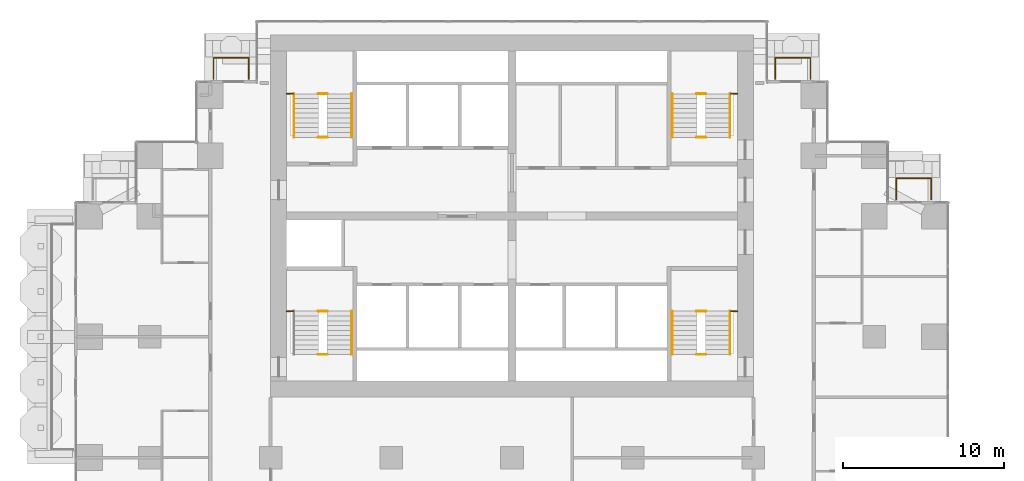
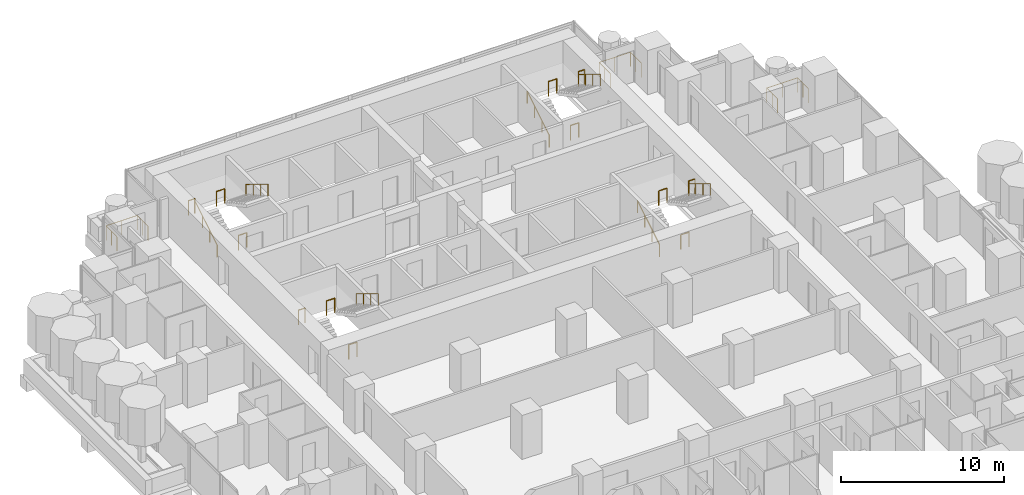
# One storey, part 16 of 17: 22 railings.
"""IFC4 building model written with IfcOpenShell, lengths in metres."""

from ifc_helpers import new_model, si_unit, direction, frame, origin, origin_2d, place, context, subcontext, project, spatial, circle, extrude, material, type_object, element, save


model = new_model("IFC4")

# Units and contexts
model_context = context("Model", 3, precision=1e-05, world=origin(), true_north=direction((0.0, 1.0)))
body_context = subcontext(model_context, "Body", "Model", "MODEL_VIEW")
ifc_project = project(units=[si_unit("LENGTHUNIT", "METRE"), si_unit("AREAUNIT", "SQUARE_METRE"), si_unit("VOLUMEUNIT", "CUBIC_METRE"), si_unit("PLANEANGLEUNIT", "RADIAN"), si_unit("MASSUNIT", "GRAM", prefix="KILO")], contexts=[model_context])

# Site, building, storey
site_placement = place(None, origin())
site = spatial("IfcSite", under=ifc_project, at=site_placement, CompositionType="ELEMENT")
building_placement = place(site_placement, origin())
building = spatial("IfcBuilding", under=site, at=building_placement, Name="Pilkhan Gate Tower", CompositionType="ELEMENT")
storey_placement = place(building_placement, frame((0.0, 0.0, 49.39990234375)))
storey = spatial("IfcBuildingStorey", under=building, at=storey_placement, Name="L09", CompositionType="ELEMENT", Elevation=49.39990234375)

# Railings
ifc_material_1 = material(Name="Pale anodised aluminium posts, laminated glass infill", Category="aluminium")
railing_type_1 = type_object("IfcRailingType", Name="Balcony guard G1", PredefinedType="BALUSTRADE", material=ifc_material_1)
for number, where, name in (
    (1, (56.449951171875, 91.02001953125, 0.0), "Balcony guard L09 N"),
    (2, (91.35009765625, 91.02001953125, 0.0), "Balcony guard L09 N"),
):
    element("IfcRailing", number, at=place(storey_placement, frame(where)), inside=storey, type_object=railing_type_1, Name=name, PredefinedType="BALUSTRADE", context=body_context, shape_type="SweptSolid", body=[
        extrude(circle(Radius=0.02392578125, at=origin_2d()), frame((0.0, 0.0, 1.076171875), z_axis=(0.0, 1.0, 0.0), x_axis=(-1.0, 0.0, 0.0)), (0.0, 0.0, 1.0), 1.330078125),
        extrude(circle(Radius=0.02392578125, at=origin_2d()), frame((0.0, 1.330078125, 1.076171875), z_axis=(1.0, 0.0, 0.0), x_axis=(0.0, 1.0, 0.0)), (0.0, 0.0, 1.0), 2.199951171875),
        extrude(circle(Radius=0.02392578125, at=origin_2d()), frame((2.199951171875, 1.330078125, 1.076171875), z_axis=(0.0, -1.0, 0.0), x_axis=(1.0, 0.0, 0.0)), (0.0, 0.0, 1.0), 1.330078125),
        extrude(circle(Radius=0.02099609375, at=origin_2d()), origin(), (0.0, 0.0, 1.0), 1.052001953125),
        extrude(circle(Radius=0.02099609375, at=origin_2d()), frame((0.0, 0.6650390625, 0.0)), (0.0, 0.0, 1.0), 1.052001953125),
        extrude(circle(Radius=0.02099609375, at=origin_2d()), frame((0.0, 1.330078125, 0.0)), (0.0, 0.0, 1.0), 1.052001953125),
        extrude(circle(Radius=0.02099609375, at=origin_2d()), frame((1.10009765625, 1.330078125, 0.0)), (0.0, 0.0, 1.0), 1.052001953125),
        extrude(circle(Radius=0.02099609375, at=origin_2d()), frame((2.199951171875, 1.330078125, 0.0)), (0.0, 0.0, 1.0), 1.052001953125),
        extrude(circle(Radius=0.02099609375, at=origin_2d()), frame((2.199951171875, 0.6650390625, 0.0)), (0.0, 0.0, 1.0), 1.052001953125),
        extrude(circle(Radius=0.02099609375, at=origin_2d()), frame((2.199951171875, 0.0, 0.0)), (0.0, 0.0, 1.0), 1.052001953125),
    ])
railing_1_placement = place(storey_placement, frame((98.8701171875, 83.5400390625, 0.0)))
element("IfcRailing", 3, at=railing_1_placement, inside=storey, type_object=railing_type_1, Name="Balcony guard L09 N", PredefinedType="BALUSTRADE", context=body_context, shape_type="SweptSolid", body=[
    extrude(circle(Radius=0.02392578125, at=origin_2d()), frame((0.0, 0.0, 1.076171875), z_axis=(0.0, 1.0, 0.0), x_axis=(-1.0, 0.0, 0.0)), (0.0, 0.0, 1.0), 1.31005859375),
    extrude(circle(Radius=0.02392578125, at=origin_2d()), frame((0.0, 1.31005859375, 1.076171875), z_axis=(1.0, 0.0, 0.0), x_axis=(0.0, 1.0, 0.0)), (0.0, 0.0, 1.0), 2.179931640625),
    extrude(circle(Radius=0.02392578125, at=origin_2d()), frame((2.179931640625, 1.31005859375, 1.076171875), z_axis=(0.0, -1.0, 0.0), x_axis=(1.0, 0.0, 0.0)), (0.0, 0.0, 1.0), 1.31005859375),
    extrude(circle(Radius=0.02099609375, at=origin_2d()), origin(), (0.0, 0.0, 1.0), 1.052001953125),
    extrude(circle(Radius=0.02099609375, at=origin_2d()), frame((0.0, 0.655029296875, 0.0)), (0.0, 0.0, 1.0), 1.052001953125),
    extrude(circle(Radius=0.02099609375, at=origin_2d()), frame((0.0, 1.31005859375, 0.0)), (0.0, 0.0, 1.0), 1.052001953125),
    extrude(circle(Radius=0.02099609375, at=origin_2d()), frame((1.08984375, 1.31005859375, 0.0)), (0.0, 0.0, 1.0), 1.052001953125),
    extrude(circle(Radius=0.02099609375, at=origin_2d()), frame((2.179931640625, 1.31005859375, 0.0)), (0.0, 0.0, 1.0), 1.052001953125),
    extrude(circle(Radius=0.02099609375, at=origin_2d()), frame((2.179931640625, 0.655029296875, 0.0)), (0.0, 0.0, 1.0), 1.052001953125),
    extrude(circle(Radius=0.02099609375, at=origin_2d()), frame((2.179931640625, 0.0, 0.0)), (0.0, 0.0, 1.0), 1.052001953125),
])
ifc_material_2 = material(Name="Black powder-coated steel tube", Category="steel")
railing_type_2 = type_object("IfcRailingType", Name="Stair handrail HR1", PredefinedType="HANDRAIL", material=ifc_material_2)
railing_2_placement = place(storey_placement, frame((84.949951171875, 73.89990234375, 0.0)))
element("IfcRailing", 4, at=railing_2_placement, inside=storey, type_object=railing_type_2, Name="Stair ST1 handrail L09", PredefinedType="HANDRAIL", context=body_context, shape_type="SweptSolid", body=[
    extrude(circle(Radius=0.02392578125, at=origin_2d()), frame((0.0, 0.0, 0.8759765625), z_axis=(0.0, 0.853278019476, 0.521456250781), x_axis=(-1.0, 0.0, 0.0)), (0.0, 0.0, 1.0), 3.16455078125),
    extrude(circle(Radius=0.02099609375, at=origin_2d()), origin(), (0.0, 0.0, 1.0), 0.851806640625),
    extrude(circle(Radius=0.02099609375, at=origin_2d()), frame((0.0, 0.900146484375, 0.550048828125)), (0.0, 0.0, 1.0), 0.851806640625),
    extrude(circle(Radius=0.02099609375, at=origin_2d()), frame((0.0, 1.800048828125, 1.10009765625)), (0.0, 0.0, 1.0), 0.851806640625),
    extrude(circle(Radius=0.02099609375, at=origin_2d()), frame((0.0, 2.7001953125, 1.650146484375)), (0.0, 0.0, 1.0), 0.851806640625),
])
for number, where, name in (
    (5, (88.550048828125, 76.60009765625, 1.650146484375), "Stair ST1 handrail L09"),
    (6, (65.050048828125, 76.60009765625, 1.650146484375), "Stair ST2 handrail L09"),
):
    element("IfcRailing", number, at=place(storey_placement, frame(where)), inside=storey, type_object=railing_type_2, Name=name, PredefinedType="HANDRAIL", context=body_context, shape_type="SweptSolid", body=[
        extrude(circle(Radius=0.02392578125, at=origin_2d()), frame((0.0, 0.0, 0.8759765625), z_axis=(0.0, -0.853312346642, 0.521400075823), x_axis=(1.0, 0.0, 0.0)), (0.0, 0.0, 1.0), 3.164306640625),
        extrude(circle(Radius=0.02099609375, at=origin_2d()), origin(), (0.0, 0.0, 1.0), 0.851806640625),
        extrude(circle(Radius=0.02099609375, at=origin_2d()), frame((0.0, -0.900146484375, 0.550048828125)), (0.0, 0.0, 1.0), 0.851806640625),
        extrude(circle(Radius=0.02099609375, at=origin_2d()), frame((0.0, -1.800048828125, 1.099853515625)), (0.0, 0.0, 1.0), 0.851806640625),
        extrude(circle(Radius=0.02099609375, at=origin_2d()), frame((0.0, -2.7001953125, 1.64990234375)), (0.0, 0.0, 1.0), 0.851806640625),
    ])
railing_3_placement = place(storey_placement, frame((61.449951171875, 87.39990234375, 0.0)))
element("IfcRailing", 7, at=railing_3_placement, inside=storey, type_object=railing_type_2, Name="Stair ST3 handrail L09", PredefinedType="HANDRAIL", context=body_context, shape_type="SweptSolid", body=[
    extrude(circle(Radius=0.02392578125, at=origin_2d()), frame((0.0, 0.0, 0.8759765625), z_axis=(0.0, 0.853278019476, 0.521456250781), x_axis=(-1.0, 0.0, 0.0)), (0.0, 0.0, 1.0), 3.16455078125),
    extrude(circle(Radius=0.02099609375, at=origin_2d()), origin(), (0.0, 0.0, 1.0), 0.851806640625),
    extrude(circle(Radius=0.02099609375, at=origin_2d()), frame((0.0, 0.900146484375, 0.550048828125)), (0.0, 0.0, 1.0), 0.851806640625),
    extrude(circle(Radius=0.02099609375, at=origin_2d()), frame((0.0, 1.800048828125, 1.10009765625)), (0.0, 0.0, 1.0), 0.851806640625),
    extrude(circle(Radius=0.02099609375, at=origin_2d()), frame((0.0, 2.7001953125, 1.650146484375)), (0.0, 0.0, 1.0), 0.851806640625),
])
railing_4_placement = place(storey_placement, frame((65.050048828125, 90.10009765625, 1.650146484375)))
element("IfcRailing", 8, at=railing_4_placement, inside=storey, type_object=railing_type_2, Name="Stair ST3 handrail L09", PredefinedType="HANDRAIL", context=body_context, shape_type="SweptSolid", body=[
    extrude(circle(Radius=0.02392578125, at=origin_2d()), frame((0.0, 0.0, 0.8759765625), z_axis=(0.0, -0.853312346642, 0.521400075823), x_axis=(1.0, 0.0, 0.0)), (0.0, 0.0, 1.0), 3.164306640625),
    extrude(circle(Radius=0.02099609375, at=origin_2d()), origin(), (0.0, 0.0, 1.0), 0.851806640625),
    extrude(circle(Radius=0.02099609375, at=origin_2d()), frame((0.0, -0.900146484375, 0.550048828125)), (0.0, 0.0, 1.0), 0.851806640625),
    extrude(circle(Radius=0.02099609375, at=origin_2d()), frame((0.0, -1.800048828125, 1.099853515625)), (0.0, 0.0, 1.0), 0.851806640625),
    extrude(circle(Radius=0.02099609375, at=origin_2d()), frame((0.0, -2.7001953125, 1.64990234375)), (0.0, 0.0, 1.0), 0.851806640625),
])
railing_5_placement = place(storey_placement, frame((84.949951171875, 87.39990234375, 0.0)))
element("IfcRailing", 9, at=railing_5_placement, inside=storey, type_object=railing_type_2, Name="Stair ST4 handrail L09", PredefinedType="HANDRAIL", context=body_context, shape_type="SweptSolid", body=[
    extrude(circle(Radius=0.02392578125, at=origin_2d()), frame((0.0, 0.0, 0.8759765625), z_axis=(0.0, 0.853278019476, 0.521456250781), x_axis=(-1.0, 0.0, 0.0)), (0.0, 0.0, 1.0), 3.16455078125),
    extrude(circle(Radius=0.02099609375, at=origin_2d()), origin(), (0.0, 0.0, 1.0), 0.851806640625),
    extrude(circle(Radius=0.02099609375, at=origin_2d()), frame((0.0, 0.900146484375, 0.550048828125)), (0.0, 0.0, 1.0), 0.851806640625),
    extrude(circle(Radius=0.02099609375, at=origin_2d()), frame((0.0, 1.800048828125, 1.10009765625)), (0.0, 0.0, 1.0), 0.851806640625),
    extrude(circle(Radius=0.02099609375, at=origin_2d()), frame((0.0, 2.7001953125, 1.650146484375)), (0.0, 0.0, 1.0), 0.851806640625),
])
railing_6_placement = place(storey_placement, frame((88.550048828125, 90.10009765625, 1.650146484375)))
element("IfcRailing", 10, at=railing_6_placement, inside=storey, type_object=railing_type_2, Name="Stair ST4 handrail L09", PredefinedType="HANDRAIL", context=body_context, shape_type="SweptSolid", body=[
    extrude(circle(Radius=0.02392578125, at=origin_2d()), frame((0.0, 0.0, 0.8759765625), z_axis=(0.0, -0.853312346642, 0.521400075823), x_axis=(1.0, 0.0, 0.0)), (0.0, 0.0, 1.0), 3.164306640625),
    extrude(circle(Radius=0.02099609375, at=origin_2d()), origin(), (0.0, 0.0, 1.0), 0.851806640625),
    extrude(circle(Radius=0.02099609375, at=origin_2d()), frame((0.0, -0.900146484375, 0.550048828125)), (0.0, 0.0, 1.0), 0.851806640625),
    extrude(circle(Radius=0.02099609375, at=origin_2d()), frame((0.0, -1.800048828125, 1.099853515625)), (0.0, 0.0, 1.0), 0.851806640625),
    extrude(circle(Radius=0.02099609375, at=origin_2d()), frame((0.0, -2.7001953125, 1.64990234375)), (0.0, 0.0, 1.0), 0.851806640625),
])
ifc_material_3 = material(Name="Black powder-coated steel balusters", Category="steel")
railing_type_3 = type_object("IfcRailingType", Name="Stair well guard G3", PredefinedType="GUARDRAIL", material=ifc_material_3)
railing_7_placement = place(storey_placement, frame((88.580078125, 76.60009765625, 1.650146484375)))
element("IfcRailing", 11, at=railing_7_placement, inside=storey, type_object=railing_type_3, Name="Stair ST1 well guard L09", PredefinedType="GUARDRAIL", context=body_context, shape_type="SweptSolid", body=[
    extrude(circle(Radius=0.02392578125, at=origin_2d()), frame((0.0, 0.0, 1.076171875), z_axis=(1.0, 0.0, 0.0), x_axis=(0.0, 1.0, 0.0)), (0.0, 0.0, 1.0), 0.43994140625),
    extrude(circle(Radius=0.02099609375, at=origin_2d()), origin(), (0.0, 0.0, 1.0), 1.052001953125),
    extrude(circle(Radius=0.02099609375, at=origin_2d()), frame((0.43994140625, 0.0, 0.0)), (0.0, 0.0, 1.0), 1.052001953125),
])
for number, where, name in (
    (12, (86.4599609375, 73.89990234375, 0.0), "Stair ST1 well guard L09"),
    (13, (86.4599609375, 76.60009765625, 1.650146484375), "Stair ST1 well guard L09"),
):
    element("IfcRailing", number, at=place(storey_placement, frame(where)), inside=storey, type_object=railing_type_3, Name=name, PredefinedType="GUARDRAIL", context=body_context, shape_type="SweptSolid", body=[
        extrude(circle(Radius=0.02392578125, at=origin_2d()), frame((0.0, 0.0, 1.076171875), z_axis=(1.0, 0.0, 0.0), x_axis=(0.0, 1.0, 0.0)), (0.0, 0.0, 1.0), 0.580078125),
        extrude(circle(Radius=0.02099609375, at=origin_2d()), origin(), (0.0, 0.0, 1.0), 1.052001953125),
        extrude(circle(Radius=0.02099609375, at=origin_2d()), frame((0.580078125, 0.0, 0.0)), (0.0, 0.0, 1.0), 1.052001953125),
    ])
railing_8_placement = place(storey_placement, frame((60.97998046875, 76.60009765625, 1.650146484375)))
element("IfcRailing", 14, at=railing_8_placement, inside=storey, type_object=railing_type_3, Name="Stair ST2 well guard L09", PredefinedType="GUARDRAIL", context=body_context, shape_type="SweptSolid", body=[
    extrude(circle(Radius=0.02392578125, at=origin_2d()), frame((0.0, 0.0, 1.076171875), z_axis=(1.0, 0.0, 0.0), x_axis=(0.0, 1.0, 0.0)), (0.0, 0.0, 1.0), 0.43994140625),
    extrude(circle(Radius=0.02099609375, at=origin_2d()), origin(), (0.0, 0.0, 1.0), 1.052001953125),
    extrude(circle(Radius=0.02099609375, at=origin_2d()), frame((0.43994140625, 0.0, 0.0)), (0.0, 0.0, 1.0), 1.052001953125),
])
for number, where, name in (
    (15, (62.9599609375, 73.89990234375, 0.0), "Stair ST2 well guard L09"),
    (16, (62.9599609375, 76.60009765625, 1.650146484375), "Stair ST2 well guard L09"),
):
    element("IfcRailing", number, at=place(storey_placement, frame(where)), inside=storey, type_object=railing_type_3, Name=name, PredefinedType="GUARDRAIL", context=body_context, shape_type="SweptSolid", body=[
        extrude(circle(Radius=0.02392578125, at=origin_2d()), frame((0.0, 0.0, 1.076171875), z_axis=(1.0, 0.0, 0.0), x_axis=(0.0, 1.0, 0.0)), (0.0, 0.0, 1.0), 0.580078125),
        extrude(circle(Radius=0.02099609375, at=origin_2d()), origin(), (0.0, 0.0, 1.0), 1.052001953125),
        extrude(circle(Radius=0.02099609375, at=origin_2d()), frame((0.580078125, 0.0, 0.0)), (0.0, 0.0, 1.0), 1.052001953125),
    ])
railing_9_placement = place(storey_placement, frame((60.97998046875, 90.10009765625, 1.650146484375)))
element("IfcRailing", 17, at=railing_9_placement, inside=storey, type_object=railing_type_3, Name="Stair ST3 well guard L09", PredefinedType="GUARDRAIL", context=body_context, shape_type="SweptSolid", body=[
    extrude(circle(Radius=0.02392578125, at=origin_2d()), frame((0.0, 0.0, 1.076171875), z_axis=(1.0, 0.0, 0.0), x_axis=(0.0, 1.0, 0.0)), (0.0, 0.0, 1.0), 0.43994140625),
    extrude(circle(Radius=0.02099609375, at=origin_2d()), origin(), (0.0, 0.0, 1.0), 1.052001953125),
    extrude(circle(Radius=0.02099609375, at=origin_2d()), frame((0.43994140625, 0.0, 0.0)), (0.0, 0.0, 1.0), 1.052001953125),
])
for number, where, name in (
    (18, (62.9599609375, 87.39990234375, 0.0), "Stair ST3 well guard L09"),
    (19, (62.9599609375, 90.10009765625, 1.650146484375), "Stair ST3 well guard L09"),
):
    element("IfcRailing", number, at=place(storey_placement, frame(where)), inside=storey, type_object=railing_type_3, Name=name, PredefinedType="GUARDRAIL", context=body_context, shape_type="SweptSolid", body=[
        extrude(circle(Radius=0.02392578125, at=origin_2d()), frame((0.0, 0.0, 1.076171875), z_axis=(1.0, 0.0, 0.0), x_axis=(0.0, 1.0, 0.0)), (0.0, 0.0, 1.0), 0.580078125),
        extrude(circle(Radius=0.02099609375, at=origin_2d()), origin(), (0.0, 0.0, 1.0), 1.052001953125),
        extrude(circle(Radius=0.02099609375, at=origin_2d()), frame((0.580078125, 0.0, 0.0)), (0.0, 0.0, 1.0), 1.052001953125),
    ])
railing_10_placement = place(storey_placement, frame((88.580078125, 90.10009765625, 1.650146484375)))
element("IfcRailing", 20, at=railing_10_placement, inside=storey, type_object=railing_type_3, Name="Stair ST4 well guard L09", PredefinedType="GUARDRAIL", context=body_context, shape_type="SweptSolid", body=[
    extrude(circle(Radius=0.02392578125, at=origin_2d()), frame((0.0, 0.0, 1.076171875), z_axis=(1.0, 0.0, 0.0), x_axis=(0.0, 1.0, 0.0)), (0.0, 0.0, 1.0), 0.43994140625),
    extrude(circle(Radius=0.02099609375, at=origin_2d()), origin(), (0.0, 0.0, 1.0), 1.052001953125),
    extrude(circle(Radius=0.02099609375, at=origin_2d()), frame((0.43994140625, 0.0, 0.0)), (0.0, 0.0, 1.0), 1.052001953125),
])
for number, where, name in (
    (21, (86.4599609375, 87.39990234375, 0.0), "Stair ST4 well guard L09"),
    (22, (86.4599609375, 90.10009765625, 1.650146484375), "Stair ST4 well guard L09"),
):
    element("IfcRailing", number, at=place(storey_placement, frame(where)), inside=storey, type_object=railing_type_3, Name=name, PredefinedType="GUARDRAIL", context=body_context, shape_type="SweptSolid", body=[
        extrude(circle(Radius=0.02392578125, at=origin_2d()), frame((0.0, 0.0, 1.076171875), z_axis=(1.0, 0.0, 0.0), x_axis=(0.0, 1.0, 0.0)), (0.0, 0.0, 1.0), 0.580078125),
        extrude(circle(Radius=0.02099609375, at=origin_2d()), origin(), (0.0, 0.0, 1.0), 1.052001953125),
        extrude(circle(Radius=0.02099609375, at=origin_2d()), frame((0.580078125, 0.0, 0.0)), (0.0, 0.0, 1.0), 1.052001953125),
    ])

save(model, "model.ifc")
